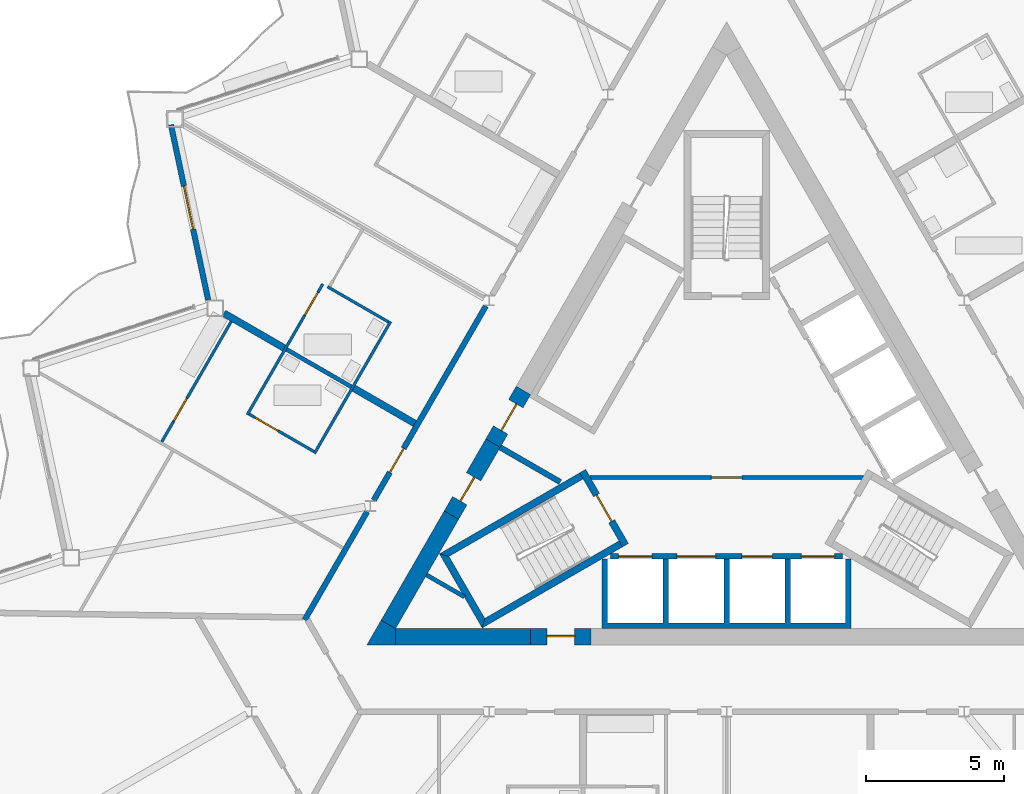
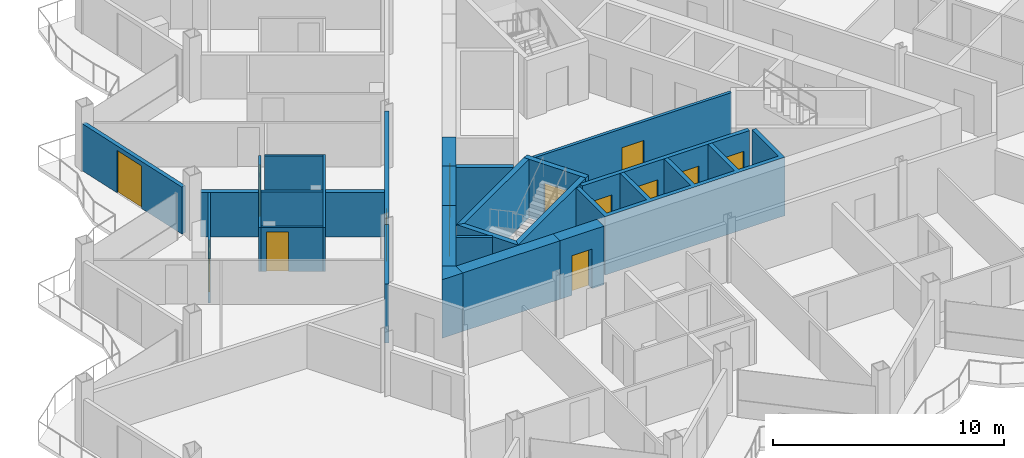
# One storey, part 14 of 26: 26 walls, 14 doors, 14 openings.
"""IFC4 building model written with IfcOpenShell, lengths in metres."""

from ifc_helpers import new_model, si_unit, direction, frame, frame_2d, origin, place, context, subcontext, project, spatial, polyline, rectangle, outline, extrude, material, layer, layer_set, type_object, element, fill, save


model = new_model("IFC4")

# Units and contexts
model_context = context("Model", 3, precision=1e-05, world=origin(), true_north=direction((0.0, 1.0)))
body_context = subcontext(model_context, "Body", "Model", "MODEL_VIEW")
ifc_project = project(units=[si_unit("LENGTHUNIT", "METRE"), si_unit("AREAUNIT", "SQUARE_METRE"), si_unit("VOLUMEUNIT", "CUBIC_METRE"), si_unit("PLANEANGLEUNIT", "RADIAN"), si_unit("MASSUNIT", "GRAM", prefix="KILO")], contexts=[model_context])

# Site, building, storey
site_placement = place(None, origin())
site = spatial("IfcSite", under=ifc_project, at=site_placement, CompositionType="ELEMENT")
building_placement = place(site_placement, origin())
building = spatial("IfcBuilding", under=site, at=building_placement, Name="Cormorant Prow Tower", CompositionType="ELEMENT")
storey_placement = place(building_placement, frame((0.0, 0.0, 325.60009765625)))
storey = spatial("IfcBuildingStorey", under=building, at=storey_placement, Name="L72", CompositionType="ELEMENT", Elevation=325.60009765625)

# Wall, opening, door
ifc_material_1 = material(Name="Gypsum board partition")
ifc_layer_1 = layer(ifc_material_1, 0.14990234375)
ifc_layer_set_1 = layer_set([ifc_layer_1], Name="Gypsum board partition")
wall_type_1 = type_object("IfcWallType", Name="Core partition 150", PredefinedType="PARTITIONING", material=ifc_layer_set_1)
wall_1_placement = place(storey_placement, frame((-4.941162109375, -1.449951171875, 0.0), z_axis=(0.0, 0.0, 1.0), x_axis=(1.0, 0.0, 0.0)))
wall_1 = element("IfcWall", 1, at=wall_1_placement, inside=storey, type_object=wall_type_1, Name="Firefighting lobby partition", PredefinedType="PARTITIONING", context=body_context, shape_type="SweptSolid", body=[
    extrude(rectangle(XDim=9.88232421875, YDim=0.14990234375, at=frame_2d((4.941162109375, 0.0))), origin(), (0.0, 0.0, 1.0), 3.099853515625),
])
opening_1_placement = place(wall_1_placement, frame((4.39111328125, 0.0, 0.0)))
opening_1 = element("IfcOpeningElement", 2, at=opening_1_placement, cuts=wall_1, Name="Opening L72-C10", PredefinedType="OPENING", context=body_context, shape_type="SweptSolid", body=[
    extrude(rectangle(XDim=1.10009765625, YDim=2.10009765625, at=frame_2d((0.550048828125, 1.050048828125))), frame((0.0, 0.0849609375, 0.0), z_axis=(0.0, -1.0, 0.0), x_axis=(1.0, 0.0, 0.0)), (0.0, 0.0, 1.0), 0.169921875),
])
ifc_material_2 = material(Name="Painted steel", Category="steel")
door_type_1 = type_object("IfcDoorType", Name="Firefighting lobby door 1100x2100", OperationType="NOTDEFINED", PredefinedType="DOOR", material=ifc_material_2)
door_1_placement = place(opening_1_placement, origin())
door_1 = element("IfcDoor", 3, at=door_1_placement, inside=storey, type_object=door_type_1, Name="Firefighting lobby door", OperationType="SINGLE_SWING_RIGHT", OverallHeight=2.10009765625, OverallWidth=1.10009765625, PredefinedType="DOOR", context=body_context, shape_type="SweptSolid", body=[
    extrude(rectangle(XDim=1.10009765625, YDim=2.10009765625, at=frame_2d((0.550048828125, 1.050048828125))), frame((0.0, 0.02490234375, 0.0), z_axis=(0.0, -1.0, 0.0), x_axis=(1.0, 0.0, 0.0)), (0.0, 0.0, 1.0), 0.050048828125),
])
fill(opening_1, door_1)

# Walls
wall_2_placement = place(storey_placement, frame((-10.841796875, -4.96728515625, 0.0), z_axis=(0.0, 0.0, 1.0), x_axis=(0.866098216386, -0.499873863663, 0.0)))
element("IfcWall", 4, at=wall_2_placement, inside=storey, type_object=wall_type_1, Name="Service room partition", PredefinedType="PARTITIONING", context=body_context, shape_type="SweptSolid", body=[
    extrude(rectangle(XDim=1.58203125, YDim=0.14990234375, at=frame_2d((0.791015625, 0.0))), origin(), (0.0, 0.0, 1.0), 3.099853515625),
])
ifc_material_3 = material(Name="Concrete 8000 psi", Category="concrete")
ifc_layer_2 = layer(ifc_material_3, 0.60009765625)
ifc_layer_set_2 = layer_set([ifc_layer_2], Name="Concrete 8000 psi")
wall_type_2 = type_object("IfcWallType", Name="Core shear wall 600", PredefinedType="SHEAR", material=ifc_layer_set_2)
wall_3_placement = place(storey_placement, frame((-11.960693359375, -7.20556640625, 0.0), z_axis=(0.0, 0.0, 1.0), x_axis=(1.0, 0.0, 0.0)))
element("IfcWall", 5, at=wall_3_placement, inside=storey, type_object=wall_type_2, Name="Core wall", PredefinedType="SHEAR", context=body_context, shape_type="SweptSolid", body=[
    extrude(rectangle(XDim=4.868408203125, YDim=0.60009765625, at=frame_2d((2.43408203125, 0.0))), origin(), (0.0, 0.0, 1.0), 3.099853515625),
])
wall_4_placement = place(storey_placement, frame((-9.94091796875, -2.80712890625, 0.0), z_axis=(0.0, 0.0, 1.0), x_axis=(-0.500020646047, -0.866013483456, 0.0)))
element("IfcWall", 6, at=wall_4_placement, inside=storey, type_object=wall_type_2, Name="Core wall", PredefinedType="SHEAR", context=body_context, shape_type="SweptSolid", body=[
    extrude(rectangle(XDim=4.559326171875, YDim=0.60009765625, at=frame_2d((2.27978515625, 0.0))), origin(), (0.0, 0.0, 1.0), 3.099853515625),
])
wall_5_placement = place(storey_placement, origin())
element("IfcWall", 7, at=wall_5_placement, inside=storey, type_object=wall_type_2, Name="Core wall corner", PredefinedType="SHEAR", context=body_context, shape_type="SweptSolid", body=[
    extrude(outline(polyline([(-12.48046875, -6.605712890625), (-11.960693359375, -6.905517578125), (-11.960693359375, -7.505615234375), (-13.0, -7.505615234375), (-12.48046875, -6.605712890625)])), origin(), (0.0, 0.0, 1.0), 3.099853515625),
])

# Wall, opening, door
wall_6_placement = place(storey_placement, frame((-7.09228515625, -7.20556640625, 0.0), z_axis=(0.0, 0.0, 1.0), x_axis=(1.0, 0.0, 0.0)))
wall_6 = element("IfcWall", 8, at=wall_6_placement, inside=storey, type_object=wall_type_2, Name="Core wall door panel", PredefinedType="SHEAR", context=body_context, shape_type="SweptSolid", body=[
    extrude(rectangle(XDim=2.2001953125, YDim=0.60009765625, at=frame_2d((1.10009765625, 0.0))), origin(), (0.0, 0.0, 1.0), 3.099853515625),
])
opening_2_placement = place(wall_6_placement, frame((0.60009765625, 0.0, 0.0)))
opening_2 = element("IfcOpeningElement", 9, at=opening_2_placement, cuts=wall_6, Name="Opening L72-C14", PredefinedType="OPENING", context=body_context, shape_type="SweptSolid", body=[
    extrude(rectangle(XDim=1.0, YDim=2.10009765625, at=frame_2d((0.5, 1.050048828125))), frame((0.0, 0.31005859375, 0.0), z_axis=(0.0, -1.0, 0.0), x_axis=(1.0, 0.0, 0.0)), (0.0, 0.0, 1.0), 0.6201171875),
])
ifc_material_4 = material(Name="Painted steel", Category="steel")
door_type_2 = type_object("IfcDoorType", Name="Service door 1000x2100", OperationType="NOTDEFINED", PredefinedType="DOOR", material=ifc_material_4)
door_2_placement = place(opening_2_placement, origin())
door_2 = element("IfcDoor", 10, at=door_2_placement, inside=storey, type_object=door_type_2, Name="Core door, Housekeeping store", OperationType="SINGLE_SWING_LEFT", OverallHeight=2.10009765625, OverallWidth=1.0, PredefinedType="DOOR", context=body_context, shape_type="SweptSolid", body=[
    extrude(rectangle(XDim=1.0, YDim=2.10009765625, at=frame_2d((0.5, 1.050048828125))), frame((0.0, 0.05517578125, 0.0), z_axis=(0.0, -1.0, 0.0), x_axis=(1.0, 0.0, 0.0)), (0.0, 0.0, 1.0), 0.050048828125),
])
fill(opening_2, door_2)

wall_7_placement = place(storey_placement, frame((-8.440185546875, -0.207763671875, 0.0), z_axis=(0.0, 0.0, 1.0), x_axis=(-0.499997052475, -0.866027105532, 0.0)))
wall_7 = element("IfcWall", 11, at=wall_7_placement, inside=storey, type_object=wall_type_2, Name="Core wall door panel", PredefinedType="SHEAR", context=body_context, shape_type="SweptSolid", body=[
    extrude(rectangle(XDim=3.00146484375, YDim=0.60009765625, at=frame_2d((1.500732421875, 0.0))), origin(), (0.0, 0.0, 1.0), 3.099853515625),
])
opening_3_placement = place(wall_7_placement, frame((1.39990234375, 0.0, 0.0)))
opening_3 = element("IfcOpeningElement", 12, at=opening_3_placement, cuts=wall_7, Name="Opening L72-C16", PredefinedType="OPENING", context=body_context, shape_type="SweptSolid", body=[
    extrude(rectangle(XDim=1.0, YDim=2.10009765625, at=frame_2d((0.5, 1.050048828125))), frame((0.0, 0.31005859375, 0.0), z_axis=(0.0, -1.0, 0.0), x_axis=(1.0, 0.0, 0.0)), (0.0, 0.0, 1.0), 0.6201171875),
])
door_3_placement = place(opening_3_placement, origin())
door_3 = element("IfcDoor", 13, at=door_3_placement, inside=storey, type_object=door_type_2, Name="Core door, Linen store", OperationType="SINGLE_SWING_RIGHT", OverallHeight=2.10009765625, OverallWidth=1.0, PredefinedType="DOOR", context=body_context, shape_type="SweptSolid", body=[
    extrude(rectangle(XDim=1.0, YDim=2.10009765625, at=frame_2d((0.5, 1.050048828125))), frame((0.0, 0.05517578125, 0.0), z_axis=(0.0, -1.0, 0.0), x_axis=(1.0, 0.0, 0.0)), (0.0, 0.0, 1.0), 0.050048828125),
])
fill(opening_3, door_3)

wall_8_placement = place(storey_placement, frame((-7.340087890625, 1.697509765625, 0.0), z_axis=(0.0, 0.0, 1.0), x_axis=(-0.50002983664, -0.866008176907, 0.0)))
wall_8 = element("IfcWall", 14, at=wall_8_placement, inside=storey, type_object=wall_type_2, Name="Core wall door panel", PredefinedType="SHEAR", context=body_context, shape_type="SweptSolid", body=[
    extrude(rectangle(XDim=2.199951171875, YDim=0.60009765625, at=frame_2d((1.10009765625, 0.0))), origin(), (0.0, 0.0, 1.0), 3.099853515625),
])
opening_4_placement = place(wall_8_placement, frame((0.550048828125, 0.0, 0.0)))
opening_4 = element("IfcOpeningElement", 15, at=opening_4_placement, cuts=wall_8, Name="Opening L72-C18", PredefinedType="OPENING", context=body_context, shape_type="SweptSolid", body=[
    extrude(rectangle(XDim=1.10009765625, YDim=2.10009765625, at=frame_2d((0.550048828125, 1.050048828125))), frame((0.0, 0.31005859375, 0.0), z_axis=(0.0, -1.0, 0.0), x_axis=(1.0, 0.0, 0.0)), (0.0, 0.0, 1.0), 0.6201171875),
])
ifc_material_5 = material(Name="Painted steel", Category="steel")
door_type_3 = type_object("IfcDoorType", Name="Core door 1100x2100", OperationType="NOTDEFINED", PredefinedType="DOOR", material=ifc_material_5)
door_4_placement = place(opening_4_placement, origin())
door_4 = element("IfcDoor", 16, at=door_4_placement, inside=storey, type_object=door_type_3, Name="Core door, lift lobby", OperationType="SINGLE_SWING_RIGHT", OverallHeight=2.10009765625, OverallWidth=1.10009765625, PredefinedType="DOOR", context=body_context, shape_type="SweptSolid", body=[
    extrude(rectangle(XDim=1.10009765625, YDim=2.10009765625, at=frame_2d((0.550048828125, 1.050048828125))), frame((0.0, 0.05517578125, 0.0), z_axis=(0.0, -1.0, 0.0), x_axis=(1.0, 0.0, 0.0)), (0.0, 0.0, 1.0), 0.050048828125),
])
fill(opening_4, door_4)

ifc_material_6 = material(Name="Gypsum board corridor wall")
ifc_layer_3 = layer(ifc_material_6, 0.199951171875)
ifc_layer_set_3 = layer_set([ifc_layer_3], Name="Gypsum board corridor wall")
wall_type_3 = type_object("IfcWallType", Name="Corridor wall 200", PredefinedType="PARTITIONING", material=ifc_layer_set_3)
wall_9_placement = place(storey_placement, frame((-12.747802734375, -2.268798828125, 0.0), z_axis=(0.0, 0.0, 1.0), x_axis=(0.499984266882, 0.866034487114, 0.0)))
wall_9 = element("IfcWall", 17, at=wall_9_placement, inside=storey, type_object=wall_type_3, Name="Corridor wall", PredefinedType="PARTITIONING", context=body_context, shape_type="SweptSolid", body=[
    extrude(rectangle(XDim=8.098876953125, YDim=0.199951171875, at=frame_2d((4.04931640625, 0.0))), origin(), (0.0, 0.0, 1.0), 3.099853515625),
])
opening_5_placement = place(wall_9_placement, frame((1.16357421875, 0.0, 0.0)))
opening_5 = element("IfcOpeningElement", 18, at=opening_5_placement, cuts=wall_9, Name="Opening L72-F49", PredefinedType="OPENING", context=body_context, shape_type="SweptSolid", body=[
    extrude(rectangle(XDim=1.0, YDim=2.10009765625, at=frame_2d((0.5, 1.050048828125))), frame((0.0, 0.10986328125, 0.0), z_axis=(0.0, -1.0, 0.0), x_axis=(1.0, 0.0, 0.0)), (0.0, 0.0, 1.0), 0.219970703125),
])
ifc_material_7 = material(Name="Timber door leaf", Category="wood")
door_type_4 = type_object("IfcDoorType", Name="Flat or room entrance door 1000x2100", OperationType="NOTDEFINED", PredefinedType="DOOR", material=ifc_material_7)
door_5_placement = place(opening_5_placement, origin())
door_5 = element("IfcDoor", 19, at=door_5_placement, inside=storey, type_object=door_type_4, Name="Living room door", OperationType="SINGLE_SWING_RIGHT", OverallHeight=2.10009765625, OverallWidth=1.0, PredefinedType="DOOR", context=body_context, shape_type="SweptSolid", body=[
    extrude(rectangle(XDim=1.0, YDim=2.10009765625, at=frame_2d((0.5, 1.050048828125))), frame((0.0, 0.02490234375, 0.0), z_axis=(0.0, -1.0, 0.0), x_axis=(1.0, 0.0, 0.0)), (0.0, 0.0, 1.0), 0.050048828125),
])
fill(opening_5, door_5)

# Wall
wall_10_placement = place(storey_placement, frame((-15.243896484375, -6.59228515625, 0.0), z_axis=(0.0, 0.0, 1.0), x_axis=(0.49999094734, 0.866030630277, 0.0)))
element("IfcWall", 20, at=wall_10_placement, inside=storey, type_object=wall_type_3, Name="Corridor wall", PredefinedType="PARTITIONING", context=body_context, shape_type="SweptSolid", body=[
    extrude(rectangle(XDim=4.5126953125, YDim=0.199951171875, at=frame_2d((2.25634765625, 0.0))), origin(), (0.0, 0.0, 1.0), 3.099853515625),
])

# Wall, opening, door
ifc_material_8 = material(Name="Gypsum board partition")
ifc_layer_4 = layer(ifc_material_8, 0.10009765625)
ifc_layer_set_4 = layer_set([ifc_layer_4], Name="Gypsum board partition")
wall_type_4 = type_object("IfcWallType", Name="Internal partition 100", PredefinedType="PARTITIONING", material=ifc_layer_set_4)
wall_11_placement = place(storey_placement, frame((-17.31396484375, 0.822509765625, 0.0), z_axis=(0.0, 0.0, 1.0), x_axis=(0.499988730927, 0.866031909889, 0.0)))
wall_11 = element("IfcWall", 21, at=wall_11_placement, inside=storey, type_object=wall_type_4, Name="Internal partition", PredefinedType="PARTITIONING", context=body_context, shape_type="SweptSolid", body=[
    extrude(rectangle(XDim=5.449951171875, YDim=0.10009765625, at=frame_2d((2.72509765625, 0.0))), origin(), (0.0, 0.0, 1.0), 2.330078125),
])
opening_6_placement = place(wall_11_placement, frame((4.14990234375, 0.0, 0.0)))
opening_6 = element("IfcOpeningElement", 22, at=opening_6_placement, cuts=wall_11, Name="Opening L72-F48", PredefinedType="OPENING", context=body_context, shape_type="SweptSolid", body=[
    extrude(rectangle(XDim=0.949951171875, YDim=2.10009765625, at=frame_2d((0.47509765625, 1.050048828125))), frame((0.0, 0.06005859375, 0.0), z_axis=(0.0, -1.0, 0.0), x_axis=(1.0, 0.0, 0.0)), (0.0, 0.0, 1.0), 0.1201171875),
])
ifc_material_9 = material(Name="Timber door leaf", Category="wood")
door_type_5 = type_object("IfcDoorType", Name="Bathroom door 950x2100", OperationType="NOTDEFINED", PredefinedType="DOOR", material=ifc_material_9)
door_6_placement = place(opening_6_placement, origin())
door_6 = element("IfcDoor", 23, at=door_6_placement, inside=storey, type_object=door_type_5, Name="Bedroom door", OperationType="SINGLE_SWING_RIGHT", OverallHeight=2.10009765625, OverallWidth=0.949951171875, PredefinedType="DOOR", context=body_context, shape_type="SweptSolid", body=[
    extrude(rectangle(XDim=0.949951171875, YDim=2.10009765625, at=frame_2d((0.47509765625, 1.050048828125))), frame((0.0, 0.02490234375, 0.0), z_axis=(0.0, -1.0, 0.0), x_axis=(1.0, 0.0, 0.0)), (0.0, 0.0, 1.0), 0.050048828125),
])
fill(opening_6, door_6)

# Wall
wall_12_placement = place(storey_placement, frame((-14.88916015625, -0.577392578125, 0.0), z_axis=(0.0, 0.0, 1.0), x_axis=(0.500015767406, 0.866016300277, 0.0)))
element("IfcWall", 24, at=wall_12_placement, inside=storey, type_object=wall_type_4, Name="Internal partition", PredefinedType="PARTITIONING", context=body_context, shape_type="SweptSolid", body=[
    extrude(rectangle(XDim=5.499755859375, YDim=0.10009765625, at=frame_2d((2.75, 0.0))), origin(), (0.0, 0.0, 1.0), 2.330078125),
])

# Wall, opening, door
wall_13_placement = place(storey_placement, frame((-20.404541015625, -0.158203125, 0.0), z_axis=(0.0, 0.0, 1.0), x_axis=(0.499989096993, 0.866031698547, 0.0)))
wall_13 = element("IfcWall", 25, at=wall_13_placement, inside=storey, type_object=wall_type_4, Name="Internal partition", PredefinedType="PARTITIONING", context=body_context, shape_type="SweptSolid", body=[
    extrude(rectangle(XDim=5.01953125, YDim=0.10009765625, at=frame_2d((2.509765625, 0.0))), origin(), (0.0, 0.0, 1.0), 2.330078125),
])
opening_7_placement = place(wall_13_placement, frame((0.862060546875, 0.0, 0.0)))
opening_7 = element("IfcOpeningElement", 26, at=opening_7_placement, cuts=wall_13, Name="Opening L72-F51", PredefinedType="OPENING", context=body_context, shape_type="SweptSolid", body=[
    extrude(rectangle(XDim=0.949951171875, YDim=2.10009765625, at=frame_2d((0.47509765625, 1.050048828125))), frame((0.0, 0.06005859375, 0.0), z_axis=(0.0, -1.0, 0.0), x_axis=(1.0, 0.0, 0.0)), (0.0, 0.0, 1.0), 0.1201171875),
])
door_7_placement = place(opening_7_placement, origin())
door_7 = element("IfcDoor", 27, at=door_7_placement, inside=storey, type_object=door_type_5, Name="Living room door", OperationType="SINGLE_SWING_LEFT", OverallHeight=2.10009765625, OverallWidth=0.949951171875, PredefinedType="DOOR", context=body_context, shape_type="SweptSolid", body=[
    extrude(rectangle(XDim=0.949951171875, YDim=2.10009765625, at=frame_2d((0.47509765625, 1.050048828125))), frame((0.0, 0.02490234375, 0.0), z_axis=(0.0, -1.0, 0.0), x_axis=(1.0, 0.0, 0.0)), (0.0, 0.0, 1.0), 0.050048828125),
])
fill(opening_7, door_7)

wall_14_placement = place(storey_placement, frame((-17.24560546875, 0.8408203125, 0.0), z_axis=(0.0, 0.0, 1.0), x_axis=(0.86599734893, -0.500048589285, 0.0)))
wall_14 = element("IfcWall", 28, at=wall_14_placement, inside=storey, type_object=wall_type_4, Name="Internal partition", PredefinedType="PARTITIONING", context=body_context, shape_type="SweptSolid", body=[
    extrude(rectangle(XDim=2.699951171875, YDim=0.10009765625, at=frame_2d((1.35009765625, 0.0))), origin(), (0.0, 0.0, 1.0), 2.330078125),
])
opening_8_placement = place(wall_14_placement, frame((0.25, 0.0, 0.0)))
opening_8 = element("IfcOpeningElement", 29, at=opening_8_placement, cuts=wall_14, Name="Opening L72-F50", PredefinedType="OPENING", context=body_context, shape_type="SweptSolid", body=[
    extrude(rectangle(XDim=0.949951171875, YDim=2.10009765625, at=frame_2d((0.47509765625, 1.050048828125))), frame((0.0, 0.06005859375, 0.0), z_axis=(0.0, -1.0, 0.0), x_axis=(1.0, 0.0, 0.0)), (0.0, 0.0, 1.0), 0.1201171875),
])
door_8_placement = place(opening_8_placement, origin())
door_8 = element("IfcDoor", 30, at=door_8_placement, inside=storey, type_object=door_type_5, Name="Living room door", OperationType="SINGLE_SWING_LEFT", OverallHeight=2.10009765625, OverallWidth=0.949951171875, PredefinedType="DOOR", context=body_context, shape_type="SweptSolid", body=[
    extrude(rectangle(XDim=0.949951171875, YDim=2.10009765625, at=frame_2d((0.47509765625, 1.050048828125))), frame((0.0, 0.02490234375, 0.0), z_axis=(0.0, -1.0, 0.0), x_axis=(1.0, 0.0, 0.0)), (0.0, 0.0, 1.0), 0.050048828125),
])
fill(opening_8, door_8)

# Wall
wall_15_placement = place(storey_placement, frame((-14.41748046875, 5.443359375, 0.0), z_axis=(0.0, 0.0, 1.0), x_axis=(0.865991210529, -0.500059219779, 0.0)))
element("IfcWall", 31, at=wall_15_placement, inside=storey, type_object=wall_type_4, Name="Internal partition", PredefinedType="PARTITIONING", context=body_context, shape_type="SweptSolid", body=[
    extrude(rectangle(XDim=2.552001953125, YDim=0.10009765625, at=frame_2d((1.27587890625, 0.0))), origin(), (0.0, 0.0, 1.0), 2.330078125),
])

# Wall, openings, doors
ifc_material_10 = material(Name="Concrete 5000 psi", Category="concrete")
ifc_layer_5 = layer(ifc_material_10, 0.199951171875)
ifc_layer_set_5 = layer_set([ifc_layer_5], Name="Concrete 5000 psi")
wall_type_5 = type_object("IfcWallType", Name="Lift lobby wall 200", PredefinedType="SOLIDWALL", material=ifc_layer_set_5)
wall_16_placement = place(storey_placement, frame((-4.1865234375, -4.300048828125, 0.0), z_axis=(0.0, 0.0, 1.0), x_axis=(1.0, 0.0, 0.0)))
wall_16 = element("IfcWall", 32, at=wall_16_placement, inside=storey, type_object=wall_type_5, Name="Lift lobby wall, S block", PredefinedType="SOLIDWALL", context=body_context, shape_type="SweptSolid", body=[
    extrude(rectangle(XDim=8.373046875, YDim=0.199951171875, at=frame_2d((4.1865234375, 0.0))), origin(), (0.0, 0.0, 1.0), 3.099853515625),
])
opening_9_placement = place(wall_16_placement, frame((0.28662109375, 0.0, 0.0)))
opening_9 = element("IfcOpeningElement", 33, at=opening_9_placement, cuts=wall_16, Name="Opening L72-C01", PredefinedType="OPENING", context=body_context, shape_type="SweptSolid", body=[
    extrude(rectangle(XDim=1.199951171875, YDim=2.10009765625, at=frame_2d((0.60009765625, 1.050048828125))), frame((0.0, 0.10986328125, 0.0), z_axis=(0.0, -1.0, 0.0), x_axis=(1.0, 0.0, 0.0)), (0.0, 0.0, 1.0), 0.219970703125),
])
opening_10_placement = place(wall_16_placement, frame((2.38671875, 0.0, 0.0)))
opening_10 = element("IfcOpeningElement", 34, at=opening_10_placement, cuts=wall_16, Name="Opening L72-C02", PredefinedType="OPENING", context=body_context, shape_type="SweptSolid", body=[
    extrude(rectangle(XDim=1.39990234375, YDim=2.10009765625, at=frame_2d((0.699951171875, 1.050048828125))), frame((0.0, 0.10986328125, 0.0), z_axis=(0.0, -1.0, 0.0), x_axis=(1.0, 0.0, 0.0)), (0.0, 0.0, 1.0), 0.219970703125),
])
opening_11_placement = place(wall_16_placement, frame((4.736572265625, 0.0, 0.0)))
opening_11 = element("IfcOpeningElement", 35, at=opening_11_placement, cuts=wall_16, Name="Opening L72-C03", PredefinedType="OPENING", context=body_context, shape_type="SweptSolid", body=[
    extrude(rectangle(XDim=1.10009765625, YDim=2.10009765625, at=frame_2d((0.550048828125, 1.050048828125))), frame((0.0, 0.10986328125, 0.0), z_axis=(0.0, -1.0, 0.0), x_axis=(1.0, 0.0, 0.0)), (0.0, 0.0, 1.0), 0.219970703125),
])
opening_12_placement = place(wall_16_placement, frame((6.88671875, 0.0, 0.0)))
opening_12 = element("IfcOpeningElement", 36, at=opening_12_placement, cuts=wall_16, Name="Opening L72-C04", PredefinedType="OPENING", context=body_context, shape_type="SweptSolid", body=[
    extrude(rectangle(XDim=1.199951171875, YDim=2.10009765625, at=frame_2d((0.60009765625, 1.050048828125))), frame((0.0, 0.10986328125, 0.0), z_axis=(0.0, -1.0, 0.0), x_axis=(1.0, 0.0, 0.0)), (0.0, 0.0, 1.0), 0.219970703125),
])
ifc_material_11 = material(Name="Painted steel", Category="steel")
door_type_6 = type_object("IfcDoorType", Name="Firefighting lift landing door 1200x2100", OperationType="SLIDING_TO_LEFT", PredefinedType="DOOR", material=ifc_material_11)
door_9_placement = place(opening_9_placement, origin())
door_9 = element("IfcDoor", 37, at=door_9_placement, inside=storey, type_object=door_type_6, Name="Landing door FL1", OperationType="SLIDING_TO_LEFT", OverallHeight=2.10009765625, OverallWidth=1.199951171875, PredefinedType="DOOR", context=body_context, shape_type="SweptSolid", body=[
    extrude(rectangle(XDim=1.199951171875, YDim=2.10009765625, at=frame_2d((0.60009765625, 1.050048828125))), frame((0.0, 0.02490234375, 0.0), z_axis=(0.0, -1.0, 0.0), x_axis=(1.0, 0.0, 0.0)), (0.0, 0.0, 1.0), 0.050048828125),
])
fill(opening_9, door_9)
door_10_placement = place(opening_12_placement, origin())
door_10 = element("IfcDoor", 38, at=door_10_placement, inside=storey, type_object=door_type_6, Name="Landing door FL2", OperationType="SLIDING_TO_LEFT", OverallHeight=2.10009765625, OverallWidth=1.199951171875, PredefinedType="DOOR", context=body_context, shape_type="SweptSolid", body=[
    extrude(rectangle(XDim=1.199951171875, YDim=2.10009765625, at=frame_2d((0.60009765625, 1.050048828125))), frame((0.0, 0.02490234375, 0.0), z_axis=(0.0, -1.0, 0.0), x_axis=(1.0, 0.0, 0.0)), (0.0, 0.0, 1.0), 0.050048828125),
])
fill(opening_12, door_10)
ifc_material_12 = material(Name="Painted steel", Category="steel")
door_type_7 = type_object("IfcDoorType", Name="Lift landing door 1100x2100", OperationType="SLIDING_TO_LEFT", PredefinedType="DOOR", material=ifc_material_12)
door_11_placement = place(opening_11_placement, origin())
door_11 = element("IfcDoor", 39, at=door_11_placement, inside=storey, type_object=door_type_7, Name="Landing door HR1", OperationType="SLIDING_TO_LEFT", OverallHeight=2.10009765625, OverallWidth=1.10009765625, PredefinedType="DOOR", context=body_context, shape_type="SweptSolid", body=[
    extrude(rectangle(XDim=1.10009765625, YDim=2.10009765625, at=frame_2d((0.550048828125, 1.050048828125))), frame((0.0, 0.02490234375, 0.0), z_axis=(0.0, -1.0, 0.0), x_axis=(1.0, 0.0, 0.0)), (0.0, 0.0, 1.0), 0.050048828125),
])
fill(opening_11, door_11)
ifc_material_13 = material(Name="Painted steel", Category="steel")
door_type_8 = type_object("IfcDoorType", Name="Service lift landing door 1400x2100", OperationType="SLIDING_TO_LEFT", PredefinedType="DOOR", material=ifc_material_13)
door_12_placement = place(opening_10_placement, origin())
door_12 = element("IfcDoor", 40, at=door_12_placement, inside=storey, type_object=door_type_8, Name="Landing door SL1", OperationType="SLIDING_TO_LEFT", OverallHeight=2.10009765625, OverallWidth=1.39990234375, PredefinedType="DOOR", context=body_context, shape_type="SweptSolid", body=[
    extrude(rectangle(XDim=1.39990234375, YDim=2.10009765625, at=frame_2d((0.699951171875, 1.050048828125))), frame((0.0, 0.02490234375, 0.0), z_axis=(0.0, -1.0, 0.0), x_axis=(1.0, 0.0, 0.0)), (0.0, 0.0, 1.0), 0.050048828125),
])
fill(opening_10, door_12)

# Walls
ifc_material_14 = material(Name="Concrete 8000 psi", Category="concrete")
ifc_layer_6 = layer(ifc_material_14, 0.199951171875)
ifc_layer_set_6 = layer_set([ifc_layer_6], Name="Concrete 8000 psi")
wall_type_6 = type_object("IfcWallType", Name="Lift shaft wall 200", PredefinedType="SHEAR", material=ifc_layer_set_6)
wall_17_placement = place(storey_placement, origin())
element("IfcWall", 41, at=wall_17_placement, inside=storey, type_object=wall_type_6, Name="Lift shaft walls, S block", PredefinedType="SHEAR", context=body_context, shape_type="SweptSolid", body=[
    extrude(outline(polyline([(4.5, -4.39990234375), (4.5, -6.906005859375), (-4.5, -6.906005859375), (-4.5, -4.39990234375), (-4.300048828125, -4.39990234375), (-4.300048828125, -6.699951171875), (-2.300048828125, -6.699951171875), (-2.300048828125, -4.39990234375), (-2.10009765625, -4.39990234375), (-2.10009765625, -6.699951171875), (-0.10009765625, -6.699951171875), (-0.10009765625, -4.39990234375), (0.10009765625, -4.39990234375), (0.10009765625, -6.699951171875), (2.10009765625, -6.699951171875), (2.10009765625, -4.39990234375), (2.300048828125, -4.39990234375), (2.300048828125, -6.699951171875), (4.300048828125, -6.699951171875), (4.300048828125, -4.39990234375), (4.5, -4.39990234375)])), origin(), (0.0, 0.0, 1.0), 3.099853515625),
])
wall_18_placement = place(storey_placement, origin())
element("IfcWall", 42, at=wall_18_placement, inside=storey, type_object=wall_type_6, Name="Lift shaft walls, WNW block", PredefinedType="SHEAR", context=body_context, shape_type="SweptSolid", body=[
    extrude(outline(polyline([(-6.060546875, -1.697021484375), (-8.230712890625, -0.444091796875), (-8.130859375, -0.27099609375), (-5.96044921875, -1.52392578125), (-6.060546875, -1.697021484375)])), origin(), (0.0, 0.0, 1.0), 3.099853515625),
])
ifc_material_15 = material(Name="Concrete 8000 psi", Category="concrete")
ifc_layer_7 = layer(ifc_material_15, 0.25)
ifc_layer_set_7 = layer_set([ifc_layer_7], Name="Concrete 8000 psi")
wall_type_7 = type_object("IfcWallType", Name="Stair wall 250", PredefinedType="SHEAR", material=ifc_layer_set_7)
wall_19_placement = place(storey_placement, origin())
element("IfcWall", 43, at=wall_19_placement, inside=storey, type_object=wall_type_7, Name="Stair ST1 enclosure wall (flank)", PredefinedType="SHEAR", context=body_context, shape_type="SweptSolid", body=[
    extrude(outline(polyline([(-5.30712890625, -1.28125), (-10.37353515625, -4.206298828125), (-10.031982421875, -4.2978515625), (-5.18212890625, -1.497802734375), (-5.30712890625, -1.28125)])), origin(), (0.0, 0.0, 1.0), 3.099853515625),
])
wall_20_placement = place(storey_placement, origin())
element("IfcWall", 44, at=wall_20_placement, inside=storey, type_object=wall_type_7, Name="Stair ST1 enclosure wall (end)", PredefinedType="SHEAR", context=body_context, shape_type="SweptSolid", body=[
    extrude(outline(polyline([(-10.37353515625, -4.206298828125), (-8.82958984375, -6.880615234375), (-8.738037109375, -6.5390625), (-10.031982421875, -4.2978515625), (-10.37353515625, -4.206298828125)])), origin(), (0.0, 0.0, 1.0), 3.099853515625),
])
wall_21_placement = place(storey_placement, origin())
element("IfcWall", 45, at=wall_21_placement, inside=storey, type_object=wall_type_7, Name="Stair ST1 enclosure wall (flank)", PredefinedType="SHEAR", context=body_context, shape_type="SweptSolid", body=[
    extrude(outline(polyline([(-8.738037109375, -6.5390625), (-8.82958984375, -6.880615234375), (-3.76318359375, -3.95556640625), (-3.88818359375, -3.739013671875), (-8.738037109375, -6.5390625)])), origin(), (0.0, 0.0, 1.0), 3.099853515625),
])

# Wall, opening, door
wall_22_placement = place(storey_placement, frame((-5.198974609375, -1.21875, 0.0), z_axis=(0.0, 0.0, 1.0), x_axis=(0.499982516597, -0.866035497597, 0.0)))
wall_22 = element("IfcWall", 46, at=wall_22_placement, inside=storey, type_object=wall_type_7, Name="Stair ST1 door wall", PredefinedType="SHEAR", context=body_context, shape_type="SweptSolid", body=[
    extrude(rectangle(XDim=3.087890625, YDim=0.25, at=frame_2d((1.5439453125, 0.0))), origin(), (0.0, 0.0, 1.0), 3.099853515625),
])
opening_13_placement = place(wall_22_placement, frame((0.993896484375, 0.0, 0.0)))
opening_13 = element("IfcOpeningElement", 47, at=opening_13_placement, cuts=wall_22, Name="Opening L72-C11", PredefinedType="OPENING", context=body_context, shape_type="SweptSolid", body=[
    extrude(rectangle(XDim=1.10009765625, YDim=2.10009765625, at=frame_2d((0.550048828125, 1.050048828125))), frame((0.0, 0.135009765625, 0.0), z_axis=(0.0, -1.0, 0.0), x_axis=(1.0, 0.0, 0.0)), (0.0, 0.0, 1.0), 0.27001953125),
])
ifc_material_16 = material(Name="Painted steel", Category="steel")
door_type_9 = type_object("IfcDoorType", Name="Stair door 1100x2100", OperationType="NOTDEFINED", PredefinedType="DOOR", material=ifc_material_16)
door_13_placement = place(opening_13_placement, origin())
door_13 = element("IfcDoor", 48, at=door_13_placement, inside=storey, type_object=door_type_9, Name="Stair ST1 door", OperationType="SINGLE_SWING_LEFT", OverallHeight=2.10009765625, OverallWidth=1.10009765625, PredefinedType="DOOR", context=body_context, shape_type="SweptSolid", body=[
    extrude(rectangle(XDim=1.10009765625, YDim=2.10009765625, at=frame_2d((0.550048828125, 1.050048828125))), frame((0.0, 0.02490234375, 0.0), z_axis=(0.0, -1.0, 0.0), x_axis=(1.0, 0.0, 0.0)), (0.0, 0.0, 1.0), 0.050048828125),
])
fill(opening_13, door_13)

# Walls
ifc_material_17 = material(Name="Acoustic gypsum party wall")
ifc_layer_8 = layer(ifc_material_17, 0.25)
ifc_layer_set_8 = layer_set([ifc_layer_8], Name="Acoustic gypsum party wall")
wall_type_8 = type_object("IfcWallType", Name="Suite party wall 250", PredefinedType="PARTITIONING", material=ifc_layer_set_8)
wall_23_placement = place(storey_placement, frame((-13.470703125, 1.779052734375, 0.0), z_axis=(0.0, 0.0, 1.0), x_axis=(0.865989465428, -0.500062241894, 0.0)))
element("IfcWall", 49, at=wall_23_placement, inside=storey, type_object=wall_type_8, Name="Suite party wall", PredefinedType="PARTITIONING", context=body_context, shape_type="SweptSolid", body=[
    extrude(rectangle(XDim=2.550048828125, YDim=0.25, at=frame_2d((1.27490234375, 0.0))), origin(), (0.0, 0.0, 1.0), 2.330078125),
])
wall_24_placement = place(storey_placement, frame((-18.160888671875, 4.48681640625, 0.0), z_axis=(0.0, 0.0, 1.0), x_axis=(0.866012646713, -0.500022095245, 0.0)))
element("IfcWall", 50, at=wall_24_placement, inside=storey, type_object=wall_type_8, Name="Suite party wall", PredefinedType="PARTITIONING", context=body_context, shape_type="SweptSolid", body=[
    extrude(rectangle(XDim=2.515625, YDim=0.25, at=frame_2d((1.2578125, 0.0))), origin(), (0.0, 0.0, 1.0), 2.330078125),
])

# Wall, opening, door
ifc_material_18 = material(Name="Terracotta", Category="masonry")
ifc_layer_9 = layer(ifc_material_18, 0.199951171875)
ifc_layer_set_9 = layer_set([ifc_layer_9], Name="Terracotta")
wall_type_9 = type_object("IfcWallType", Name="Terracotta jamb wall 200", PredefinedType="SOLIDWALL", material=ifc_layer_set_9)
wall_25_placement = place(storey_placement, frame((-20.072998046875, 11.2939453125, 0.0), z_axis=(0.0, 0.0, 1.0), x_axis=(0.207893978909, -0.978151365349, 0.0)))
wall_25 = element("IfcWall", 51, at=wall_25_placement, inside=storey, type_object=wall_type_9, Name="Terracotta jamb wall WNW05", PredefinedType="SOLIDWALL", context=body_context, shape_type="SweptSolid", body=[
    extrude(rectangle(XDim=6.466064453125, YDim=0.199951171875, at=frame_2d((3.23291015625, 0.0))), origin(), (0.0, 0.0, 1.0), 2.48779296875),
])
opening_14_placement = place(wall_25_placement, frame((2.260986328125, 0.0, 0.0)))
opening_14 = element("IfcOpeningElement", 52, at=opening_14_placement, cuts=wall_25, Name="Opening ED72.13", PredefinedType="OPENING", context=body_context, shape_type="SweptSolid", body=[
    extrude(rectangle(XDim=1.60009765625, YDim=2.25, at=frame_2d((0.800048828125, 1.125))), frame((0.0, 0.10986328125, 0.0), z_axis=(0.0, -1.0, 0.0), x_axis=(1.0, 0.0, 0.0)), (0.0, 0.0, 1.0), 0.219970703125),
])
ifc_material_19 = material(Name="Aluminium 6063-T6", Category="aluminium")
door_type_10 = type_object("IfcDoorType", Name="Balcony door 1600x2250", OperationType="DOUBLE_DOOR_SINGLE_SWING", PredefinedType="DOOR", material=ifc_material_19)
door_14_placement = place(opening_14_placement, origin())
door_14 = element("IfcDoor", 53, at=door_14_placement, inside=storey, type_object=door_type_10, Name="Balcony door WNW05 ED72.13", OperationType="DOUBLE_DOOR_SINGLE_SWING", OverallHeight=2.25, OverallWidth=1.60009765625, PredefinedType="DOOR", context=body_context, shape_type="SweptSolid", body=[
    extrude(rectangle(XDim=1.60009765625, YDim=2.25, at=frame_2d((0.800048828125, 1.125))), frame((0.0, 0.02490234375, 0.0), z_axis=(0.0, -1.0, 0.0), x_axis=(1.0, 0.0, 0.0)), (0.0, 0.0, 1.0), 0.050048828125),
])
fill(opening_14, door_14)

# Wall
ifc_material_20 = material(Name="Plasterboard wet wall with pipe chase")
ifc_layer_10 = layer(ifc_material_20, 0.14990234375)
ifc_layer_set_10 = layer_set([ifc_layer_10], Name="Plasterboard wet wall with pipe chase")
wall_type_10 = type_object("IfcWallType", Name="Wet wall 150", PredefinedType="PLUMBINGWALL", material=ifc_layer_set_10)
wall_26_placement = place(storey_placement, frame((-15.895751953125, 3.178955078125, 0.0), z_axis=(0.0, 0.0, 1.0), x_axis=(0.866059108428, -0.4999416173, 0.0)))
element("IfcWall", 54, at=wall_26_placement, inside=storey, type_object=wall_type_10, Name="Wet wall", PredefinedType="PLUMBINGWALL", context=body_context, shape_type="SweptSolid", body=[
    extrude(rectangle(XDim=2.699951171875, YDim=0.14990234375, at=frame_2d((1.35009765625, 0.0))), origin(), (0.0, 0.0, 1.0), 2.330078125),
])

save(model, "model.ifc")
